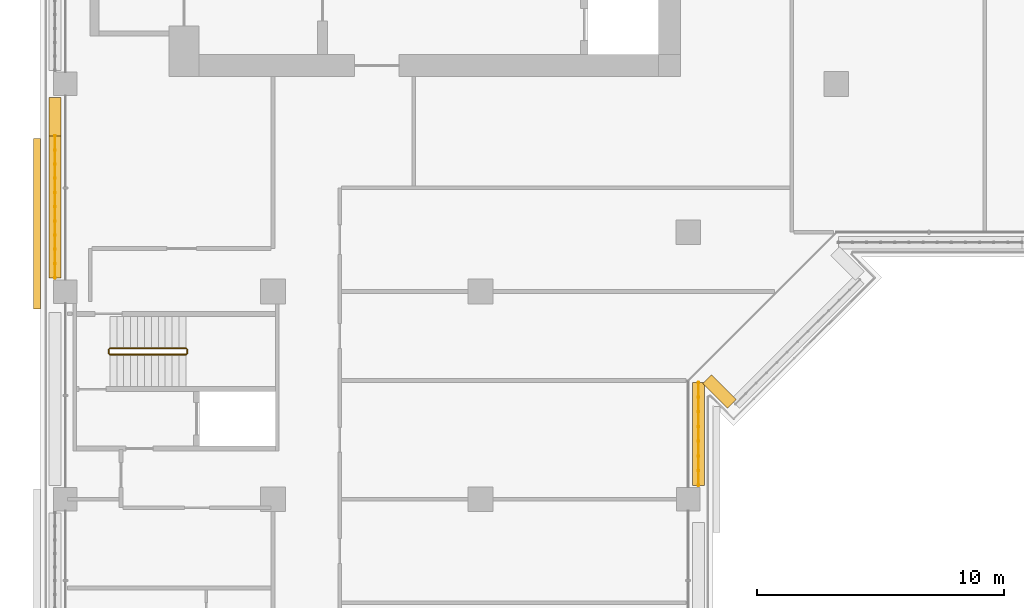
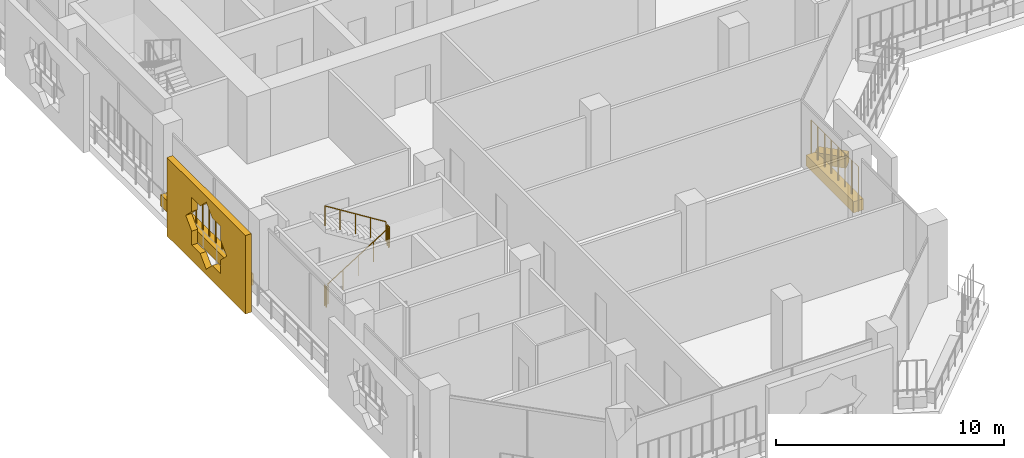
# One storey, part 16 of 22: 6 railings, 5 coverings.
"""IFC4 building model written with IfcOpenShell, lengths in metres."""

from ifc_helpers import new_model, si_unit, direction, frame, origin, origin_2d, place, context, subcontext, project, spatial, polyline, rectangle, circle, outline, extrude, material, material_profile, profile_set, type_object, element, save


model = new_model("IFC4")

# Units and contexts
model_context = context("Model", 3, precision=1e-05, world=origin(), true_north=direction((0.0, 1.0)))
body_context = subcontext(model_context, "Body", "Model", "MODEL_VIEW")
ifc_project = project(units=[si_unit("LENGTHUNIT", "METRE"), si_unit("AREAUNIT", "SQUARE_METRE"), si_unit("VOLUMEUNIT", "CUBIC_METRE"), si_unit("PLANEANGLEUNIT", "RADIAN"), si_unit("MASSUNIT", "GRAM", prefix="KILO")], contexts=[model_context])

# Site, building, storey
site_placement = place(None, origin())
site = spatial("IfcSite", under=ifc_project, at=site_placement, CompositionType="ELEMENT")
building_placement = place(site_placement, origin())
building = spatial("IfcBuilding", under=site, at=building_placement, Name="Kawkab Arch Medical Tower", CompositionType="ELEMENT")
storey_placement = place(building_placement, frame((0.0, 0.0, 179.39990234375)))
storey = spatial("IfcBuildingStorey", under=building, at=storey_placement, Name="L41", CompositionType="ELEMENT", Elevation=179.39990234375)

# Coverings
ifc_material_1 = material(Name="Bronze anodised aluminium mashrabiya panel, eight-point star pattern", Category="aluminium")
ifc_material_profile_1 = material_profile(ifc_material_1, outline(polyline([(-3.449951171875, -2.10009765625), (3.449951171875, -2.10009765625), (3.449951171875, 2.10009765625), (-3.449951171875, 2.10009765625), (-3.449951171875, -2.10009765625)]), holes=[polyline([(1.800048828125, 0.0), (1.272705078125, 0.527099609375), (1.272705078125, 1.272705078125), (0.527099609375, 1.272705078125), (0.0, 1.800048828125), (-0.527099609375, 1.272705078125), (-1.272705078125, 1.272705078125), (-1.272705078125, 0.527099609375), (-1.800048828125, 0.0), (-1.272705078125, -0.527099609375), (-1.272705078125, -1.272705078125), (-0.527099609375, -1.272705078125), (0.0, -1.800048828125), (0.527099609375, -1.272705078125), (1.272705078125, -1.272705078125), (1.272705078125, -0.527099609375), (1.800048828125, 0.0)])]), Name="Mashrabiya panel 6900x4200")
ifc_profile_set_1 = profile_set([ifc_material_profile_1], Name="Bronze anodised aluminium mashrabiya panel, eight-point star pattern")
covering_type_1 = type_object("IfcCoveringType", Name="Mashrabiya panel 6900 x 4200", PredefinedType="USERDEFINED", material=ifc_profile_set_1)
covering_1_placement = place(storey_placement, frame((-1.0, -30.850341796875, 1.7001953125), z_axis=(-1.0, 0.0, 0.0), x_axis=(0.0, -1.0, 0.0)))
element("IfcCovering", 1, at=covering_1_placement, inside=storey, type_object=covering_type_1, Name="Mashrabiya panel L41.LOG-01-01.3", ObjectType="SCREEN", PredefinedType="USERDEFINED", context=body_context, shape_type="SweptSolid", body=[
    extrude(outline(polyline([(-3.449951171875, -2.10009765625), (3.449951171875, -2.10009765625), (3.449951171875, 2.10009765625), (-3.449951171875, 2.10009765625), (-3.449951171875, -2.10009765625)]), holes=[polyline([(1.800048828125, 0.0), (1.272705078125, 0.527099609375), (1.272705078125, 1.272705078125), (0.527099609375, 1.272705078125), (0.0, 1.800048828125), (-0.527099609375, 1.272705078125), (-1.272705078125, 1.272705078125), (-1.272705078125, 0.527099609375), (-1.800048828125, 0.0), (-1.272705078125, -0.527099609375), (-1.272705078125, -1.272705078125), (-0.527099609375, -1.272705078125), (0.0, -1.800048828125), (0.527099609375, -1.272705078125), (1.272705078125, -1.272705078125), (1.272705078125, -0.527099609375), (1.800048828125, 0.0)])]), origin(), (0.0, 0.0, 1.0), 0.300048828125),
])
ifc_material_2 = material(Name="Planting soil in a precast trough", Category="concrete")
ifc_material_profile_2 = material_profile(ifc_material_2, rectangle(XDim=0.5, YDim=0.60009765625, at=origin_2d()), Name="Trough 500x600")
ifc_profile_set_2 = profile_set([ifc_material_profile_2], Name="Planting soil in a precast trough")
covering_type_2 = type_object("IfcCoveringType", Name="Planter trough 500 x 600", PredefinedType="USERDEFINED", material=ifc_profile_set_2)
covering_2_placement = place(storey_placement, frame((-0.419921875, -33.044921875, 0.300048828125), z_axis=(0.0, 1.0, 0.0), x_axis=(-1.0, 0.0, 0.0)))
element("IfcCovering", 2, at=covering_2_placement, inside=storey, type_object=covering_type_2, Name="Planter L41.LOG-01-01.9", ObjectType="PLANTER", PredefinedType="USERDEFINED", context=body_context, shape_type="SweptSolid", body=[
    extrude(rectangle(XDim=0.5, YDim=0.60009765625, at=origin_2d()), origin(), (0.0, 0.0, 1.0), 5.744873046875),
])
covering_3_placement = place(storey_placement, frame((-0.419921875, -27.300048828125, 0.300048828125), z_axis=(0.0, 1.0, 0.0), x_axis=(-1.0, 0.0, 0.0)))
element("IfcCovering", 3, at=covering_3_placement, inside=storey, type_object=covering_type_2, Name="Planter L41.LOG-01-01.10", ObjectType="PLANTER", PredefinedType="USERDEFINED", context=body_context, shape_type="SweptSolid", body=[
    extrude(rectangle(XDim=0.5, YDim=0.60009765625, at=origin_2d()), origin(), (0.0, 0.0, 1.0), 1.545166015625),
])
covering_4_placement = place(storey_placement, frame((26.967041015625, -38.14697265625, 0.300048828125), z_axis=(-0.707192746389, 0.707020805532, 0.0), x_axis=(-0.707020805532, -0.707192746389, 0.0)))
element("IfcCovering", 4, at=covering_4_placement, inside=storey, type_object=covering_type_2, Name="Planter L41.LOG-01-01.40", ObjectType="PLANTER", PredefinedType="USERDEFINED", context=body_context, shape_type="SweptSolid", body=[
    extrude(rectangle(XDim=0.5, YDim=0.60009765625, at=origin_2d()), origin(), (0.0, 0.0, 1.0), 1.419921875),
])
covering_5_placement = place(storey_placement, frame((25.6201171875, -37.284912109375, 0.300048828125), z_axis=(0.0, -1.0, 0.0), x_axis=(1.0, 0.0, 0.0)))
element("IfcCovering", 5, at=covering_5_placement, inside=storey, type_object=covering_type_2, Name="Planter L41.LOG-01-01.41", ObjectType="PLANTER", PredefinedType="USERDEFINED", context=body_context, shape_type="SweptSolid", body=[
    extrude(rectangle(XDim=0.5, YDim=0.60009765625, at=origin_2d()), origin(), (0.0, 0.0, 1.0), 4.16015625),
])

# Railings
ifc_material_3 = material(Name="Bronze anodised aluminium trellis for climbing plants", Category="aluminium")
railing_type_1 = type_object("IfcRailingType", Name="Planting trellis 2400", PredefinedType="USERDEFINED", material=ifc_material_3)
railing_1_placement = place(storey_placement, frame((-0.419921875, -33.044921875, 0.0)))
element("IfcRailing", 6, at=railing_1_placement, inside=storey, type_object=railing_type_1, Name="Planting trellis L41.LOG-01-01.9", ObjectType="TRELLIS", PredefinedType="USERDEFINED", context=body_context, shape_type="SweptSolid", body=[
    extrude(circle(Radius=0.01513671875, at=origin_2d()), frame((0.0, 0.0, 2.384765625), z_axis=(0.0, 1.0, 0.0), x_axis=(-1.0, 0.0, 0.0)), (0.0, 0.0, 1.0), 5.744873046875),
    extrude(circle(Radius=0.030029296875, at=origin_2d()), origin(), (0.0, 0.0, 1.0), 2.369873046875),
    extrude(circle(Radius=0.030029296875, at=origin_2d()), frame((0.0, 0.574462890625, 0.0)), (0.0, 0.0, 1.0), 2.369873046875),
    extrude(circle(Radius=0.030029296875, at=origin_2d()), frame((0.0, 1.14892578125, 0.0)), (0.0, 0.0, 1.0), 2.369873046875),
    extrude(circle(Radius=0.030029296875, at=origin_2d()), frame((0.0, 1.723388671875, 0.0)), (0.0, 0.0, 1.0), 2.369873046875),
    extrude(circle(Radius=0.030029296875, at=origin_2d()), frame((0.0, 2.2978515625, 0.0)), (0.0, 0.0, 1.0), 2.369873046875),
    extrude(circle(Radius=0.030029296875, at=origin_2d()), frame((0.0, 2.87255859375, 0.0)), (0.0, 0.0, 1.0), 2.369873046875),
    extrude(circle(Radius=0.030029296875, at=origin_2d()), frame((0.0, 3.447021484375, 0.0)), (0.0, 0.0, 1.0), 2.369873046875),
    extrude(circle(Radius=0.030029296875, at=origin_2d()), frame((0.0, 4.021484375, 0.0)), (0.0, 0.0, 1.0), 2.369873046875),
    extrude(circle(Radius=0.030029296875, at=origin_2d()), frame((0.0, 4.595947265625, 0.0)), (0.0, 0.0, 1.0), 2.369873046875),
    extrude(circle(Radius=0.030029296875, at=origin_2d()), frame((0.0, 5.17041015625, 0.0)), (0.0, 0.0, 1.0), 2.369873046875),
    extrude(circle(Radius=0.030029296875, at=origin_2d()), frame((0.0, 5.744873046875, 0.0)), (0.0, 0.0, 1.0), 2.369873046875),
])
railing_2_placement = place(storey_placement, frame((25.6201171875, -37.284912109375, 0.0)))
element("IfcRailing", 7, at=railing_2_placement, inside=storey, type_object=railing_type_1, Name="Planting trellis L41.LOG-01-01.41", ObjectType="TRELLIS", PredefinedType="USERDEFINED", context=body_context, shape_type="SweptSolid", body=[
    extrude(circle(Radius=0.01513671875, at=origin_2d()), frame((0.0, 0.0, 2.384765625), z_axis=(0.0, -1.0, 0.0), x_axis=(1.0, 0.0, 0.0)), (0.0, 0.0, 1.0), 4.16015625),
    extrude(circle(Radius=0.030029296875, at=origin_2d()), origin(), (0.0, 0.0, 1.0), 2.369873046875),
    extrude(circle(Radius=0.030029296875, at=origin_2d()), frame((0.0, -0.59423828125, 0.0)), (0.0, 0.0, 1.0), 2.369873046875),
    extrude(circle(Radius=0.030029296875, at=origin_2d()), frame((0.0, -1.188720703125, 0.0)), (0.0, 0.0, 1.0), 2.369873046875),
    extrude(circle(Radius=0.030029296875, at=origin_2d()), frame((0.0, -1.782958984375, 0.0)), (0.0, 0.0, 1.0), 2.369873046875),
    extrude(circle(Radius=0.030029296875, at=origin_2d()), frame((0.0, -2.377197265625, 0.0)), (0.0, 0.0, 1.0), 2.369873046875),
    extrude(circle(Radius=0.030029296875, at=origin_2d()), frame((0.0, -2.971435546875, 0.0)), (0.0, 0.0, 1.0), 2.369873046875),
    extrude(circle(Radius=0.030029296875, at=origin_2d()), frame((0.0, -3.56591796875, 0.0)), (0.0, 0.0, 1.0), 2.369873046875),
    extrude(circle(Radius=0.030029296875, at=origin_2d()), frame((0.0, -4.16015625, 0.0)), (0.0, 0.0, 1.0), 2.369873046875),
])
ifc_material_4 = material(Name="Stainless steel", Category="steel")
railing_type_2 = type_object("IfcRailingType", Name="Stair guard 1100", PredefinedType="GUARDRAIL", material=ifc_material_4)
railing_3_placement = place(storey_placement, frame((1.800048828125, -36.14990234375, 0.175048828125)))
element("IfcRailing", 8, at=railing_3_placement, inside=storey, type_object=railing_type_2, Name="L41 ST6 stair guard 1", PredefinedType="GUARDRAIL", context=body_context, shape_type="SweptSolid", body=[
    extrude(circle(Radius=0.02392578125, at=origin_2d()), frame((0.0, 0.0, 1.076171875), z_axis=(0.847979421464, 0.0, 0.530029150871), x_axis=(0.0, 1.0, 0.0)), (0.0, 0.0, 1.0), 3.632080078125),
    extrude(circle(Radius=0.02099609375, at=origin_2d()), origin(), (0.0, 0.0, 1.0), 1.052001953125),
    extrude(circle(Radius=0.02099609375, at=origin_2d()), frame((0.77001953125, 0.0, 0.481201171875)), (0.0, 0.0, 1.0), 1.052001953125),
    extrude(circle(Radius=0.02099609375, at=origin_2d()), frame((1.5400390625, 0.0, 0.96240234375)), (0.0, 0.0, 1.0), 1.052001953125),
    extrude(circle(Radius=0.02099609375, at=origin_2d()), frame((2.309814453125, 0.0, 1.44384765625)), (0.0, 0.0, 1.0), 1.052001953125),
    extrude(circle(Radius=0.02099609375, at=origin_2d()), frame((3.079833984375, 0.0, 1.925048828125)), (0.0, 0.0, 1.0), 1.052001953125),
])
railing_4_placement = place(storey_placement, frame((4.929931640625, -36.10009765625, 2.10009765625)))
element("IfcRailing", 9, at=railing_4_placement, inside=storey, type_object=railing_type_2, Name="L41 ST6 stair guard 2", PredefinedType="GUARDRAIL", context=body_context, shape_type="SweptSolid", body=[
    extrude(circle(Radius=0.02392578125, at=origin_2d()), frame((0.0, 0.0, 1.076171875), z_axis=(0.0, 1.0, 0.0), x_axis=(-1.0, 0.0, 0.0)), (0.0, 0.0, 1.0), 0.150146484375),
    extrude(circle(Radius=0.02099609375, at=origin_2d()), origin(), (0.0, 0.0, 1.0), 1.052001953125),
    extrude(circle(Radius=0.02099609375, at=origin_2d()), frame((0.0, 0.150146484375, 0.0)), (0.0, 0.0, 1.0), 1.052001953125),
])
railing_5_placement = place(storey_placement, frame((4.8798828125, -35.89990234375, 2.275146484375)))
element("IfcRailing", 10, at=railing_5_placement, inside=storey, type_object=railing_type_2, Name="L41 ST6 stair guard 3", PredefinedType="GUARDRAIL", context=body_context, shape_type="SweptSolid", body=[
    extrude(circle(Radius=0.02392578125, at=origin_2d()), frame((0.0, 0.0, 1.076171875), z_axis=(-0.847979421464, 0.0, 0.530029150871), x_axis=(0.0, -1.0, 0.0)), (0.0, 0.0, 1.0), 3.632080078125),
    extrude(circle(Radius=0.02099609375, at=origin_2d()), origin(), (0.0, 0.0, 1.0), 1.052001953125),
    extrude(circle(Radius=0.02099609375, at=origin_2d()), frame((-0.77001953125, 0.0, 0.481201171875)), (0.0, 0.0, 1.0), 1.052001953125),
    extrude(circle(Radius=0.02099609375, at=origin_2d()), frame((-1.5400390625, 0.0, 0.96240234375)), (0.0, 0.0, 1.0), 1.052001953125),
    extrude(circle(Radius=0.02099609375, at=origin_2d()), frame((-2.309814453125, 0.0, 1.44384765625)), (0.0, 0.0, 1.0), 1.052001953125),
    extrude(circle(Radius=0.02099609375, at=origin_2d()), frame((-3.079833984375, 0.0, 1.925048828125)), (0.0, 0.0, 1.0), 1.052001953125),
])
railing_6_placement = place(storey_placement, frame((1.75, -36.10009765625, 0.0)))
element("IfcRailing", 11, at=railing_6_placement, inside=storey, type_object=railing_type_2, Name="L41 ST6 stair guard 4", PredefinedType="GUARDRAIL", context=body_context, shape_type="SweptSolid", body=[
    extrude(circle(Radius=0.02392578125, at=origin_2d()), frame((0.0, 0.0, 1.076171875), z_axis=(0.0, 1.0, 0.0), x_axis=(-1.0, 0.0, 0.0)), (0.0, 0.0, 1.0), 0.150146484375),
    extrude(circle(Radius=0.02099609375, at=origin_2d()), origin(), (0.0, 0.0, 1.0), 1.052001953125),
    extrude(circle(Radius=0.02099609375, at=origin_2d()), frame((0.0, 0.150146484375, 0.0)), (0.0, 0.0, 1.0), 1.052001953125),
])

save(model, "model.ifc")
